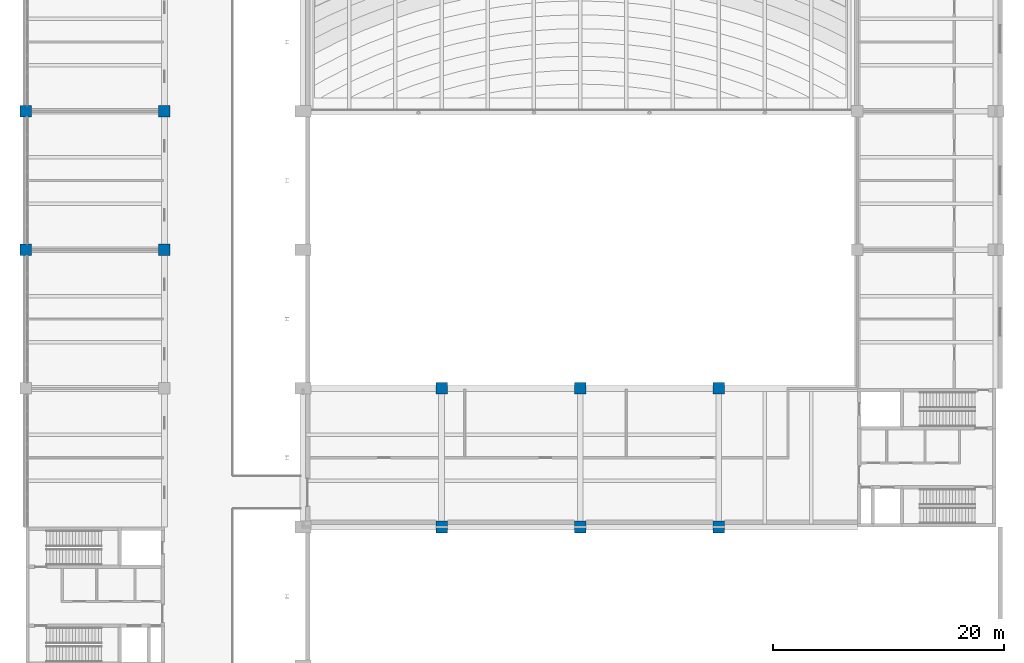
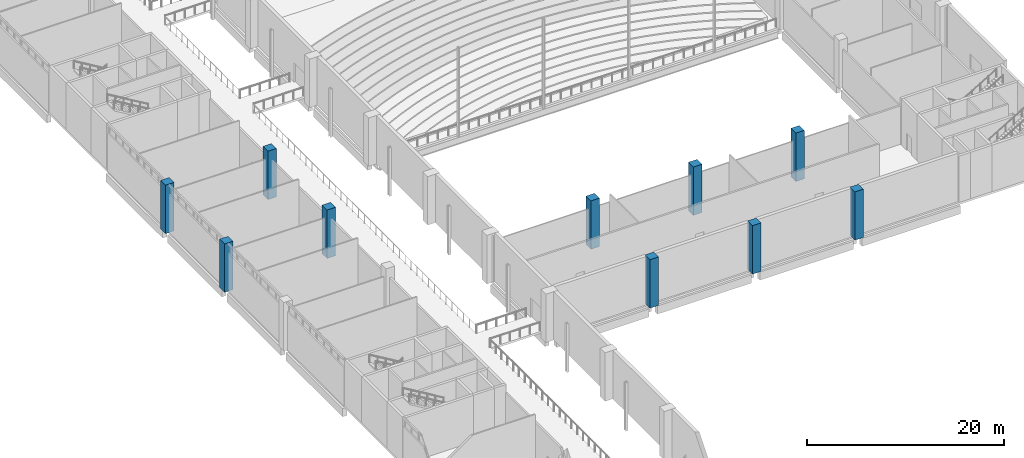
# One storey, part 5 of 72: 10 columns.
"""IFC4 building model written with IfcOpenShell, lengths in metres."""

import ifcopenshell
import ifcopenshell.guid

model = None  # the IFC model being written
_history = None  # IfcOwnerHistory: only IFC2X3 demands one
_inside = {}  # id of a spatial element -> (the spatial element, [elements in it])
_under = {}  # id of a project, library or spatial element -> (it, [spatial elements below it])
_declared = {}  # id of a project -> (the project, [libraries it declares])
_typed = {}  # id of a type object -> (the type object, [elements of that type])
_made_of = {}  # id of a material, layer set ... -> (it, [elements and type objects made of it])


def new_model(schema):
    """Start an empty IFC model of exactly this schema.

    Asked for "IFC4X3", IfcOpenShell would pick the latest addendum, in which some entities
    have other attributes; the version numbers below select the first issue.
    IFC2X3 requires an IfcOwnerHistory on every rooted entity: one is made here for all.
    """
    global model, _history
    if schema == "IFC4X3":
        model = ifcopenshell.file(schema_version=(4, 3, 0, 0))
    else:
        model = ifcopenshell.file(schema=schema)
    _inside.clear()
    _under.clear()
    _declared.clear()
    _typed.clear()
    _made_of.clear()
    _history = None
    if model.schema == "IFC2X3":
        org = make("IfcOrganization", Name="unknown")
        user = make(
            "IfcPersonAndOrganization",
            ThePerson=make("IfcPerson", FamilyName="unknown"),
            TheOrganization=org,
        )
        app = make(
            "IfcApplication",
            ApplicationDeveloper=org,
            Version="unknown",
            ApplicationFullName="unknown",
            ApplicationIdentifier="unknown",
        )
        _history = make(
            "IfcOwnerHistory",
            OwningUser=user,
            OwningApplication=app,
            ChangeAction="ADDED",
            CreationDate=0,
        )
    return model


def make(cls, **values):
    """One entity of the class cls with the attributes given. An attribute that is None is left unset."""
    return model.create_entity(
        cls, **{name: value for name, value in values.items() if value is not None}
    )


def rooted(cls, **values):
    """An entity with a GlobalId (a new one), such as an element, a storey or a relation."""
    return make(cls, GlobalId=ifcopenshell.guid.new(), OwnerHistory=_history, **values)


def si_unit(unit_type, name, prefix=None):
    """IfcSIUnit, for example si_unit("LENGTHUNIT", "METRE", prefix="MILLI")."""
    return make("IfcSIUnit", UnitType=unit_type, Prefix=prefix, Name=name)


def assignment(units):
    """IfcUnitAssignment: the units of a project."""
    return None if units is None else make("IfcUnitAssignment", Units=units)


def point(xyz):
    """IfcCartesianPoint."""
    return None if xyz is None else make("IfcCartesianPoint", Coordinates=xyz)


def direction(xyz):
    """IfcDirection."""
    return None if xyz is None else make("IfcDirection", DirectionRatios=xyz)


def frame(location, z_axis=None, x_axis=None):
    """IfcAxis2Placement3D, a coordinate frame: its origin and axes. An axis left out is left unset."""
    return make(
        "IfcAxis2Placement3D",
        Location=point(location),
        Axis=direction(z_axis),
        RefDirection=direction(x_axis),
    )


def frame_2d(location, x_axis=None):
    """IfcAxis2Placement2D, a coordinate frame in the plane: its origin and x axis."""
    return make(
        "IfcAxis2Placement2D", Location=point(location), RefDirection=direction(x_axis)
    )


def origin():
    """The frame at (0, 0, 0) with its axes left unset."""
    return frame((0.0, 0.0, 0.0))


def origin_2d():
    """The frame at (0, 0) in the plane with its x axis left unset."""
    return frame_2d((0.0, 0.0))


def place(relative_to, where):
    """IfcLocalPlacement: puts the frame where relative to a parent placement (None: the world)."""
    return make(
        "IfcLocalPlacement", PlacementRelTo=relative_to, RelativePlacement=where
    )


def context(
    kind, dimensions, precision=None, world=None, true_north=None, identifier=None
):
    """IfcGeometricRepresentationContext, for example the 3D "Model" context."""
    return make(
        "IfcGeometricRepresentationContext",
        ContextIdentifier=identifier,
        ContextType=kind,
        CoordinateSpaceDimension=dimensions,
        Precision=precision,
        WorldCoordinateSystem=world,
        TrueNorth=true_north,
    )


def subcontext(parent, identifier, kind, view, scale=None):
    """IfcGeometricRepresentationSubContext, for example "Body" below "Model"."""
    return make(
        "IfcGeometricRepresentationSubContext",
        ContextIdentifier=identifier,
        ContextType=kind,
        ParentContext=parent,
        TargetScale=scale,
        TargetView=view,
    )


def project(units=None, contexts=None):
    """IfcProject with its units and contexts."""
    return rooted(
        "IfcProject",
        Name="project",
        RepresentationContexts=contexts,
        UnitsInContext=assignment(units),
    )


def spatial(cls, under=None, at=None, **own):
    """A site, building, storey or space (cls), placed at a placement, below another one or the project."""
    s = rooted(cls, ObjectPlacement=at, **own)
    if under is not None:
        _under.setdefault(under.id(), (under, []))[1].append(s)
    return s


def profile(cls, at=None, kind="AREA", **sizes):
    """A parametric profile (cls). Its sizes go by their IFC names, for example OverallWidth=200.0."""
    return make(cls, ProfileType=kind, Position=at, **sizes)


def rectangle(**sizes):
    """IfcRectangleProfileDef."""
    return profile("IfcRectangleProfileDef", **sizes)


def extrude(swept, where, along, depth):
    """IfcExtrudedAreaSolid: the profile swept, set in the frame where, extruded along a direction by depth."""
    return make(
        "IfcExtrudedAreaSolid",
        SweptArea=swept,
        Position=where,
        ExtrudedDirection=direction(along),
        Depth=depth,
    )


def shape(context_of_items, identifier, shape_type, items):
    """IfcShapeRepresentation: the items that make up one representation, for example the "Body"."""
    return make(
        "IfcShapeRepresentation",
        ContextOfItems=context_of_items,
        RepresentationIdentifier=identifier,
        RepresentationType=shape_type,
        Items=items,
    )


def material(Name=None, Category=None):
    """IfcMaterial."""
    return make("IfcMaterial", Name=Name, Category=Category)


def material_profile(
    of_material, cross_section, Name=None, Category=None, Priority=None
):
    """IfcMaterialProfile: a cross section and its material."""
    return make(
        "IfcMaterialProfile",
        Name=Name,
        Material=of_material,
        Profile=cross_section,
        Priority=Priority,
        Category=Category,
    )


def profile_set(profiles, Name=None, composite=None):
    """IfcMaterialProfileSet."""
    return make(
        "IfcMaterialProfileSet",
        Name=Name,
        MaterialProfiles=profiles,
        CompositeProfile=composite,
    )


def made_of(thing, what):
    """Note that an element or type object is made of a material, layer set ...; save() writes the relation."""
    if what is not None:
        _made_of.setdefault(what.id(), (what, []))[1].append(thing)
    return thing


def type_object(cls, material=None, **own):
    """A type object (cls), such as IfcWallType, which elements share."""
    return made_of(rooted(cls, **own), material)


def element(
    cls,
    number,
    at=None,
    inside=None,
    cuts=None,
    type_object=None,
    material=None,
    context=None,
    identifier="Body",
    shape_type=None,
    held_by="IfcProductDefinitionShape",
    body=None,
    shapes=None,
    **own,
):
    """One element of the class cls, such as IfcWall. Its Tag is "e" and its number.

    at: its placement. inside: the storey or other place that contains it. cuts: it is an
    opening in that element (IfcRelVoidsElement). A single representation is given by context,
    identifier, shape_type and body (its items); several are given by shapes. held_by: the class
    of the entity that holds the representations. save() writes the other relations.
    """
    e = rooted(cls, Tag="e%d" % number, ObjectPlacement=at, **own)
    if body is not None:
        shapes = [shape(context, identifier, shape_type, body)]
    if shapes is not None:
        e.Representation = make(held_by, Representations=shapes)
    if inside is not None:
        _inside.setdefault(inside.id(), (inside, []))[1].append(e)
    if cuts is not None:
        rooted(
            "IfcRelVoidsElement", RelatingBuildingElement=cuts, RelatedOpeningElement=e
        )
    if type_object is not None:
        _typed.setdefault(type_object.id(), (type_object, []))[1].append(e)
    return made_of(e, material)


def aggregate(whole, parts):
    """IfcRelAggregates: a whole, such as a stair, and the parts it consists of."""
    return rooted("IfcRelAggregates", RelatingObject=whole, RelatedObjects=parts)


def save(model, path):
    """Write the relations noted so far, then the file.

    IfcRelAggregates (storeys below a building ...), IfcRelContainedInSpatialStructure (elements
    in a storey), IfcRelDefinesByType, IfcRelAssociatesMaterial and IfcRelDeclares: one each for
    every whole, place, type object, material and project.
    """
    for whole, parts in _under.values():
        aggregate(whole, parts)
    for where, things in _inside.values():
        rooted(
            "IfcRelContainedInSpatialStructure",
            RelatedElements=things,
            RelatingStructure=where,
        )
    for kind, things in _typed.values():
        rooted("IfcRelDefinesByType", RelatedObjects=things, RelatingType=kind)
    for what, things in _made_of.values():
        rooted("IfcRelAssociatesMaterial", RelatedObjects=things, RelatingMaterial=what)
    for by, libraries in _declared.values():
        rooted("IfcRelDeclares", RelatingContext=by, RelatedDefinitions=libraries)
    model.write(path)


model = new_model("IFC4")

# Units and contexts
model_context = context("Model", 3, precision=1e-05, world=origin(), true_north=direction((0.0, 1.0)))
body_context = subcontext(model_context, "Body", "Model", "MODEL_VIEW")
ifc_project = project(units=[si_unit("LENGTHUNIT", "METRE"), si_unit("AREAUNIT", "SQUARE_METRE"), si_unit("VOLUMEUNIT", "CUBIC_METRE"), si_unit("PLANEANGLEUNIT", "RADIAN"), si_unit("MASSUNIT", "GRAM", prefix="KILO")], contexts=[model_context])

# Site, building, storey
site_placement = place(None, origin())
site = spatial("IfcSite", under=ifc_project, at=site_placement, CompositionType="ELEMENT")
building_placement = place(site_placement, origin())
building = spatial("IfcBuilding", under=site, at=building_placement, Name="Lilac Gate Convention Centre", CompositionType="ELEMENT")
storey_placement = place(building_placement, frame((0.0, 0.0, 6.0)))
storey = spatial("IfcBuildingStorey", under=building, at=storey_placement, Name="L01", CompositionType="ELEMENT", Elevation=6.0)

# Columns
ifc_material = material(Name="Concrete C40", Category="concrete")
ifc_material_profile = material_profile(ifc_material, rectangle(XDim=1.0, YDim=1.0, at=origin_2d()), Name="RC 1000x1000")
ifc_profile_set = profile_set([ifc_material_profile], Name="Concrete C40")
column_type = type_object("IfcColumnType", Name="RC column 1000x1000 C40", PredefinedType="COLUMN", material=ifc_profile_set)
for number, where, z_axis, x_axis, name in (
    (1, (6.0, 126.0, 0.0), (0.0, 0.0, 1.0), (1.0, 0.0, 0.0), "C1 L01 at 1/J"),
    (2, (6.0, 138.0, 0.0), (0.0, 0.0, 1.0), (1.0, 0.0, 0.0), "C1 L01 at 1/K"),
    (3, (18.0, 126.0, 0.0), (0.0, 0.0, 1.0), (1.0, 0.0, 0.0), "C1 L01 at 2/J"),
    (4, (18.0, 138.0, 0.0), (0.0, 0.0, 1.0), (1.0, 0.0, 0.0), "C1 L01 at 2/K"),
    (5, (42.0, 102.0, 0.0), (0.0, 0.0, 1.0), (1.0, 0.0, 0.0), "C1 L01 at 4/G"),
    (6, (42.0, 114.0, 0.0), (0.0, 0.0, 1.0), (1.0, 0.0, 0.0), "C1 L01 at 4/H"),
    (7, (54.0, 102.0, 0.0), (0.0, 0.0, 1.0), (1.0, 0.0, 0.0), "C1 L01 at 5/G"),
    (8, (54.0, 114.0, 0.0), (0.0, 0.0, 1.0), (1.0, 0.0, 0.0), "C1 L01 at 5/H"),
    (9, (66.0, 102.0, 0.0), (0.0, 0.0, 1.0), (1.0, 0.0, 0.0), "C1 L01 at 6/G"),
    (10, (66.0, 114.0, 0.0), (0.0, 0.0, 1.0), (1.0, 0.0, 0.0), "C1 L01 at 6/H"),
):
    element("IfcColumn", number, at=place(storey_placement, frame(where, z_axis=z_axis, x_axis=x_axis)), inside=storey, type_object=column_type, Name=name, PredefinedType="COLUMN", context=body_context, shape_type="SweptSolid", body=[
        extrude(rectangle(XDim=1.0, YDim=1.0, at=origin_2d()), origin(), (0.0, 0.0, 1.0), 6.0),
    ])

save(model, "model.ifc")
